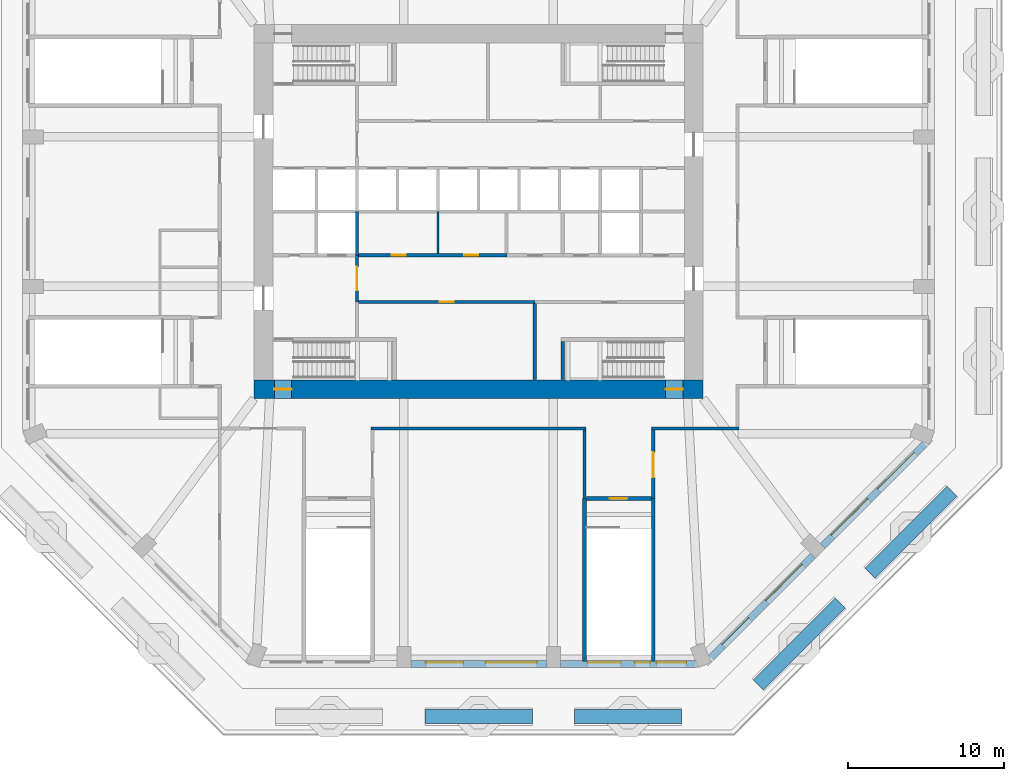
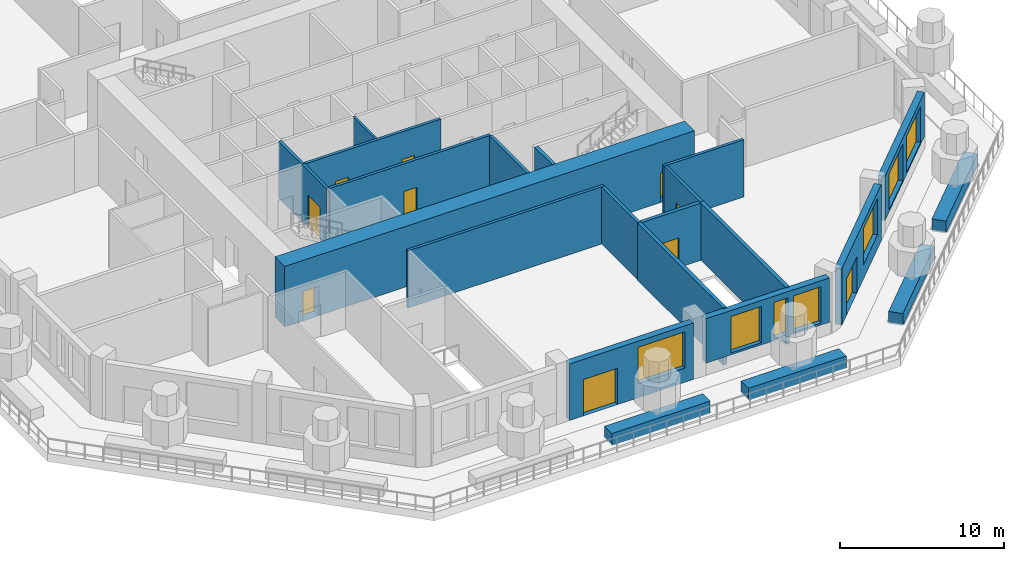
# One storey, part 4 of 13: 23 walls, 10 doors, 7 windows, 17 openings.
"""IFC4 building model written with IfcOpenShell, lengths in metres."""

from ifc_helpers import new_model, si_unit, direction, frame, frame_2d, origin, place, context, subcontext, project, spatial, rectangle, extrude, material, layer, layer_set, type_object, element, fill, save


model = new_model("IFC4")

# Units and contexts
model_context = context("Model", 3, precision=1e-05, world=origin(), true_north=direction((0.0, 1.0)))
body_context = subcontext(model_context, "Body", "Model", "MODEL_VIEW")
ifc_project = project(units=[si_unit("LENGTHUNIT", "METRE"), si_unit("AREAUNIT", "SQUARE_METRE"), si_unit("VOLUMEUNIT", "CUBIC_METRE"), si_unit("PLANEANGLEUNIT", "RADIAN"), si_unit("MASSUNIT", "GRAM", prefix="KILO")], contexts=[model_context])

# Site, building, storey
site_placement = place(None, origin())
site = spatial("IfcSite", under=ifc_project, at=site_placement, CompositionType="ELEMENT")
building_placement = place(site_placement, origin())
building = spatial("IfcBuilding", under=site, at=building_placement, Name="Msitu Wima Residences", CompositionType="ELEMENT")
storey_placement = place(building_placement, frame((0.0, 0.0, 21.0)))
storey = spatial("IfcBuildingStorey", under=building, at=storey_placement, Name="L04", CompositionType="ELEMENT", Elevation=21.0)

# Wall, openings, door, window
ifc_material_1 = material(Name="Brick (red buff mix), cavity wall of two leaves", Category="masonry")
ifc_layer_1 = layer(ifc_material_1, 0.449951171875)
ifc_layer_set_1 = layer_set([ifc_layer_1], Name="Brick (red buff mix), cavity wall of two leaves")
wall_type_1 = type_object("IfcWallType", Name="Brick infill wall BW450 podium", PredefinedType="ELEMENTEDWALL", material=ifc_layer_set_1)
wall_1_placement = place(storey_placement, frame((-4.35009765625, -29.02490234375, 0.0), z_axis=(0.0, 0.0, 1.0), x_axis=(1.0, 0.0, 0.0)))
wall_1 = element("IfcWall", 1, at=wall_1_placement, inside=storey, type_object=wall_type_1, Name="Brick infill wall L04 S1", PredefinedType="ELEMENTEDWALL", context=body_context, shape_type="SweptSolid", body=[
    extrude(rectangle(XDim=8.7001953125, YDim=0.449951171875, at=frame_2d((4.35009765625, 0.0))), origin(), (0.0, 0.0, 1.0), 4.199951171875),
])
opening_1_placement = place(wall_1_placement, frame((0.97509765625, 0.0, 0.0)))
opening_1 = element("IfcOpeningElement", 2, at=opening_1_placement, cuts=wall_1, Name="Opening D04.005", PredefinedType="OPENING", context=body_context, shape_type="SweptSolid", body=[
    extrude(rectangle(XDim=2.39990234375, YDim=2.699951171875, at=frame_2d((1.199951171875, 1.35009765625))), frame((0.0, 0.23486328125, 0.0), z_axis=(0.0, -1.0, 0.0), x_axis=(1.0, 0.0, 0.0)), (0.0, 0.0, 1.0), 0.469970703125),
])
opening_2_placement = place(wall_1_placement, frame((4.800048828125, 0.0, 1.050048828125)))
opening_2 = element("IfcOpeningElement", 3, at=opening_2_placement, cuts=wall_1, Name="Opening W04.024", PredefinedType="OPENING", context=body_context, shape_type="SweptSolid", body=[
    extrude(rectangle(XDim=3.300048828125, YDim=2.699951171875, at=frame_2d((1.64990234375, 1.35009765625))), frame((0.0, 0.23486328125, 0.0), z_axis=(0.0, -1.0, 0.0), x_axis=(1.0, 0.0, 0.0)), (0.0, 0.0, 1.0), 0.469970703125),
])
ifc_material_2 = material(Name="Anodised aluminium, bronze finish, clear low-emissivity double glazing", Category="aluminium")
door_type_1 = type_object("IfcDoorType", Name="Balcony door D2400x2700", OperationType="SLIDING_TO_LEFT", PredefinedType="DOOR", material=ifc_material_2)
door_1_placement = place(opening_1_placement, origin())
door_1 = element("IfcDoor", 4, at=door_1_placement, inside=storey, type_object=door_type_1, Name="Terrace door L04 S1", OperationType="SINGLE_SWING_LEFT", OverallHeight=2.699951171875, OverallWidth=2.39990234375, PredefinedType="DOOR", context=body_context, shape_type="SweptSolid", body=[
    extrude(rectangle(XDim=2.39990234375, YDim=2.699951171875, at=frame_2d((1.199951171875, 1.35009765625))), frame((0.0, 0.1298828125, 0.0), z_axis=(0.0, -1.0, 0.0), x_axis=(1.0, 0.0, 0.0)), (0.0, 0.0, 1.0), 0.050048828125),
])
fill(opening_1, door_1)
window_type_1 = type_object("IfcWindowType", Name="Window W3300x2700", PartitioningType="DOUBLE_PANEL_VERTICAL", PredefinedType="WINDOW", material=ifc_material_2)
window_1_placement = place(opening_2_placement, origin())
window_1 = element("IfcWindow", 5, at=window_1_placement, inside=storey, type_object=window_type_1, Name="Window L04 S1.2", OverallHeight=2.699951171875, OverallWidth=3.300048828125, PartitioningType="SINGLE_PANEL", PredefinedType="WINDOW", context=body_context, shape_type="SweptSolid", body=[
    extrude(rectangle(XDim=3.300048828125, YDim=2.699951171875, at=frame_2d((1.64990234375, 1.35009765625))), frame((0.0, 0.135009765625, 0.0), z_axis=(0.0, -1.0, 0.0), x_axis=(1.0, 0.0, 0.0)), (0.0, 0.0, 1.0), 0.06005859375),
])
fill(opening_2, window_1)

# Wall, openings, windows
wall_2_placement = place(storey_placement, frame((5.25, -29.02490234375, 0.89990234375), z_axis=(0.0, 0.0, 1.0), x_axis=(1.0, 0.0, 0.0)))
wall_2 = element("IfcWall", 6, at=wall_2_placement, inside=storey, type_object=wall_type_1, Name="Brick infill wall L04 S2", PredefinedType="ELEMENTEDWALL", context=body_context, shape_type="SweptSolid", body=[
    extrude(rectangle(XDim=8.662841796875, YDim=0.449951171875, at=frame_2d((4.33154296875, 0.0))), origin(), (0.0, 0.0, 1.0), 3.300048828125),
])
opening_3_placement = place(wall_2_placement, frame((1.75, 0.0, 0.14990234375)))
opening_3 = element("IfcOpeningElement", 7, at=opening_3_placement, cuts=wall_2, Name="Opening W04.025", PredefinedType="OPENING", context=body_context, shape_type="SweptSolid", body=[
    extrude(rectangle(XDim=2.1298828125, YDim=2.699951171875, at=frame_2d((1.06494140625, 1.35009765625))), frame((0.0, 0.23486328125, 0.0), z_axis=(0.0, -1.0, 0.0), x_axis=(1.0, 0.0, 0.0)), (0.0, 0.0, 1.0), 0.469970703125),
])
opening_4_placement = place(wall_2_placement, frame((4.781494140625, 0.0, 0.14990234375)))
opening_4 = element("IfcOpeningElement", 8, at=opening_4_placement, cuts=wall_2, Name="Opening W04.026", PredefinedType="OPENING", context=body_context, shape_type="SweptSolid", body=[
    extrude(rectangle(XDim=0.969970703125, YDim=2.699951171875, at=frame_2d((0.48486328125, 1.35009765625))), frame((0.0, 0.23486328125, 0.0), z_axis=(0.0, -1.0, 0.0), x_axis=(1.0, 0.0, 0.0)), (0.0, 0.0, 1.0), 0.469970703125),
])
opening_5_placement = place(wall_2_placement, frame((6.14990234375, 0.0, 0.14990234375)))
opening_5 = element("IfcOpeningElement", 9, at=opening_5_placement, cuts=wall_2, Name="Opening W04.027", PredefinedType="OPENING", context=body_context, shape_type="SweptSolid", body=[
    extrude(rectangle(XDim=1.929931640625, YDim=2.699951171875, at=frame_2d((0.96484375, 1.35009765625))), frame((0.0, 0.23486328125, 0.0), z_axis=(0.0, -1.0, 0.0), x_axis=(1.0, 0.0, 0.0)), (0.0, 0.0, 1.0), 0.469970703125),
])
window_type_2 = type_object("IfcWindowType", Name="Window W1930x2700", PartitioningType="DOUBLE_PANEL_VERTICAL", PredefinedType="WINDOW", material=ifc_material_2)
window_2_placement = place(opening_5_placement, origin())
window_2 = element("IfcWindow", 10, at=window_2_placement, inside=storey, type_object=window_type_2, Name="Window L04 S2.2b", OverallHeight=2.699951171875, OverallWidth=1.929931640625, PartitioningType="SINGLE_PANEL", PredefinedType="WINDOW", context=body_context, shape_type="SweptSolid", body=[
    extrude(rectangle(XDim=1.929931640625, YDim=2.699951171875, at=frame_2d((0.96484375, 1.35009765625))), frame((0.0, 0.135009765625, 0.0), z_axis=(0.0, -1.0, 0.0), x_axis=(1.0, 0.0, 0.0)), (0.0, 0.0, 1.0), 0.06005859375),
])
fill(opening_5, window_2)
window_type_3 = type_object("IfcWindowType", Name="Window W2130x2700", PartitioningType="DOUBLE_PANEL_VERTICAL", PredefinedType="WINDOW", material=ifc_material_2)
window_3_placement = place(opening_3_placement, origin())
window_3 = element("IfcWindow", 11, at=window_3_placement, inside=storey, type_object=window_type_3, Name="Window L04 S2.1b", OverallHeight=2.699951171875, OverallWidth=2.1298828125, PartitioningType="SINGLE_PANEL", PredefinedType="WINDOW", context=body_context, shape_type="SweptSolid", body=[
    extrude(rectangle(XDim=2.1298828125, YDim=2.699951171875, at=frame_2d((1.06494140625, 1.35009765625))), frame((0.0, 0.135009765625, 0.0), z_axis=(0.0, -1.0, 0.0), x_axis=(1.0, 0.0, 0.0)), (0.0, 0.0, 1.0), 0.06005859375),
])
fill(opening_3, window_3)
window_type_4 = type_object("IfcWindowType", Name="Window W970x2700", PartitioningType="DOUBLE_PANEL_VERTICAL", PredefinedType="WINDOW", material=ifc_material_2)
window_4_placement = place(opening_4_placement, origin())
window_4 = element("IfcWindow", 12, at=window_4_placement, inside=storey, type_object=window_type_4, Name="Window L04 S2.2a", OverallHeight=2.699951171875, OverallWidth=0.969970703125, PartitioningType="SINGLE_PANEL", PredefinedType="WINDOW", context=body_context, shape_type="SweptSolid", body=[
    extrude(rectangle(XDim=0.969970703125, YDim=2.699951171875, at=frame_2d((0.48486328125, 1.35009765625))), frame((0.0, 0.135009765625, 0.0), z_axis=(0.0, -1.0, 0.0), x_axis=(1.0, 0.0, 0.0)), (0.0, 0.0, 1.0), 0.06005859375),
])
fill(opening_4, window_4)

# Wall, openings, door, window
wall_3_placement = place(storey_placement, frame((14.903564453125, -28.61474609375, 0.0), z_axis=(0.0, 0.0, 1.0), x_axis=(0.707106781187, 0.707106781187, 0.0)))
wall_3 = element("IfcWall", 13, at=wall_3_placement, inside=storey, type_object=wall_type_1, Name="Brick infill wall L04 SE0", PredefinedType="ELEMENTEDWALL", context=body_context, shape_type="SweptSolid", body=[
    extrude(rectangle(XDim=9.2451171875, YDim=0.449951171875, at=frame_2d((4.62255859375, 0.0))), origin(), (0.0, 0.0, 1.0), 4.199951171875),
])
opening_6_placement = place(wall_3_placement, frame((1.111328125, 0.0, 0.0)))
opening_6 = element("IfcOpeningElement", 14, at=opening_6_placement, cuts=wall_3, Name="Opening D04.006", PredefinedType="OPENING", context=body_context, shape_type="SweptSolid", body=[
    extrude(rectangle(XDim=2.39990234375, YDim=2.699951171875, at=frame_2d((1.199951171875, 1.35009765625))), frame((0.0, 0.23486328125, 0.0), z_axis=(0.0, -1.0, 0.0), x_axis=(1.0, 0.0, 0.0)), (0.0, 0.0, 1.0), 0.469970703125),
])
opening_7_placement = place(wall_3_placement, frame((5.072509765625, 0.0, 1.050048828125)))
opening_7 = element("IfcOpeningElement", 15, at=opening_7_placement, cuts=wall_3, Name="Opening W04.028", PredefinedType="OPENING", context=body_context, shape_type="SweptSolid", body=[
    extrude(rectangle(XDim=3.300048828125, YDim=2.699951171875, at=frame_2d((1.64990234375, 1.35009765625))), frame((0.0, 0.23486328125, 0.0), z_axis=(0.0, -1.0, 0.0), x_axis=(1.0, 0.0, 0.0)), (0.0, 0.0, 1.0), 0.469970703125),
])
door_2_placement = place(opening_6_placement, origin())
door_2 = element("IfcDoor", 16, at=door_2_placement, inside=storey, type_object=door_type_1, Name="Terrace door L04 SE0", OperationType="SINGLE_SWING_LEFT", OverallHeight=2.699951171875, OverallWidth=2.39990234375, PredefinedType="DOOR", context=body_context, shape_type="SweptSolid", body=[
    extrude(rectangle(XDim=2.39990234375, YDim=2.699951171875, at=frame_2d((1.199951171875, 1.35009765625))), frame((0.0, 0.1298828125, 0.0), z_axis=(0.0, -1.0, 0.0), x_axis=(1.0, 0.0, 0.0)), (0.0, 0.0, 1.0), 0.050048828125),
])
fill(opening_6, door_2)
window_5_placement = place(opening_7_placement, origin())
window_5 = element("IfcWindow", 17, at=window_5_placement, inside=storey, type_object=window_type_1, Name="Window L04 SE0.2", OverallHeight=2.699951171875, OverallWidth=3.300048828125, PartitioningType="SINGLE_PANEL", PredefinedType="WINDOW", context=body_context, shape_type="SweptSolid", body=[
    extrude(rectangle(XDim=3.300048828125, YDim=2.699951171875, at=frame_2d((1.64990234375, 1.35009765625))), frame((0.0, 0.135009765625, 0.0), z_axis=(0.0, -1.0, 0.0), x_axis=(1.0, 0.0, 0.0)), (0.0, 0.0, 1.0), 0.06005859375),
])
fill(opening_7, window_5)

# Wall, openings, windows
wall_4_placement = place(storey_placement, frame((22.077392578125, -21.44091796875, 0.89990234375), z_axis=(0.0, 0.0, 1.0), x_axis=(0.707106781187, 0.707106781187, 0.0)))
wall_4 = element("IfcWall", 18, at=wall_4_placement, inside=storey, type_object=wall_type_1, Name="Brick infill wall L04 SE1", PredefinedType="ELEMENTEDWALL", context=body_context, shape_type="SweptSolid", body=[
    extrude(rectangle(XDim=9.2451171875, YDim=0.449951171875, at=frame_2d((4.62255859375, 0.0))), origin(), (0.0, 0.0, 1.0), 3.300048828125),
])
opening_8_placement = place(wall_4_placement, frame((0.87255859375, 0.0, 0.14990234375)))
opening_8 = element("IfcOpeningElement", 19, at=opening_8_placement, cuts=wall_4, Name="Opening W04.029", PredefinedType="OPENING", context=body_context, shape_type="SweptSolid", body=[
    extrude(rectangle(XDim=3.300048828125, YDim=2.699951171875, at=frame_2d((1.64990234375, 1.35009765625))), frame((0.0, 0.23486328125, 0.0), z_axis=(0.0, -1.0, 0.0), x_axis=(1.0, 0.0, 0.0)), (0.0, 0.0, 1.0), 0.469970703125),
])
opening_9_placement = place(wall_4_placement, frame((5.072509765625, 0.0, 0.14990234375)))
opening_9 = element("IfcOpeningElement", 20, at=opening_9_placement, cuts=wall_4, Name="Opening W04.030", PredefinedType="OPENING", context=body_context, shape_type="SweptSolid", body=[
    extrude(rectangle(XDim=3.300048828125, YDim=2.699951171875, at=frame_2d((1.64990234375, 1.35009765625))), frame((0.0, 0.23486328125, 0.0), z_axis=(0.0, -1.0, 0.0), x_axis=(1.0, 0.0, 0.0)), (0.0, 0.0, 1.0), 0.469970703125),
])
window_6_placement = place(opening_8_placement, origin())
window_6 = element("IfcWindow", 21, at=window_6_placement, inside=storey, type_object=window_type_1, Name="Window L04 SE1.1", OverallHeight=2.699951171875, OverallWidth=3.300048828125, PartitioningType="SINGLE_PANEL", PredefinedType="WINDOW", context=body_context, shape_type="SweptSolid", body=[
    extrude(rectangle(XDim=3.300048828125, YDim=2.699951171875, at=frame_2d((1.64990234375, 1.35009765625))), frame((0.0, 0.135009765625, 0.0), z_axis=(0.0, -1.0, 0.0), x_axis=(1.0, 0.0, 0.0)), (0.0, 0.0, 1.0), 0.06005859375),
])
fill(opening_8, window_6)
window_7_placement = place(opening_9_placement, origin())
window_7 = element("IfcWindow", 22, at=window_7_placement, inside=storey, type_object=window_type_1, Name="Window L04 SE1.2", OverallHeight=2.699951171875, OverallWidth=3.300048828125, PartitioningType="SINGLE_PANEL", PredefinedType="WINDOW", context=body_context, shape_type="SweptSolid", body=[
    extrude(rectangle(XDim=3.300048828125, YDim=2.699951171875, at=frame_2d((1.64990234375, 1.35009765625))), frame((0.0, 0.135009765625, 0.0), z_axis=(0.0, -1.0, 0.0), x_axis=(1.0, 0.0, 0.0)), (0.0, 0.0, 1.0), 0.06005859375),
])
fill(opening_9, window_7)

# Wall, openings, doors
ifc_material_3 = material(Name="Concrete C80/95", Category="concrete")
ifc_layer_2 = layer(ifc_material_3, 1.199951171875)
ifc_layer_set_2 = layer_set([ifc_layer_2], Name="Concrete C80/95")
wall_type_2 = type_object("IfcWallType", Name="Core wall CW1200 C80/95", PredefinedType="SHEAR", material=ifc_layer_set_2)
wall_5_placement = place(storey_placement, frame((-14.39990234375, -11.39990234375, 0.0), z_axis=(0.0, 0.0, 1.0), x_axis=(1.0, 0.0, 0.0)))
wall_5 = element("IfcWall", 23, at=wall_5_placement, inside=storey, type_object=wall_type_2, Name="Core wall", PredefinedType="SHEAR", context=body_context, shape_type="SweptSolid", body=[
    extrude(rectangle(XDim=28.7998046875, YDim=1.199951171875, at=frame_2d((14.39990234375, 0.0))), origin(), (0.0, 0.0, 1.0), 4.5),
])
opening_10_placement = place(wall_5_placement, frame((1.300048828125, 0.0, 0.0)))
opening_10 = element("IfcOpeningElement", 24, at=opening_10_placement, cuts=wall_5, Name="Opening D04.052", PredefinedType="OPENING", context=body_context, shape_type="SweptSolid", body=[
    extrude(rectangle(XDim=1.10009765625, YDim=2.199951171875, at=frame_2d((0.550048828125, 1.10009765625))), frame((0.0, 0.60986328125, 0.0), z_axis=(0.0, -1.0, 0.0), x_axis=(1.0, 0.0, 0.0)), (0.0, 0.0, 1.0), 1.219970703125),
])
opening_11_placement = place(wall_5_placement, frame((26.39990234375, 0.0, 0.0)))
opening_11 = element("IfcOpeningElement", 25, at=opening_11_placement, cuts=wall_5, Name="Opening D04.054", PredefinedType="OPENING", context=body_context, shape_type="SweptSolid", body=[
    extrude(rectangle(XDim=1.10009765625, YDim=2.199951171875, at=frame_2d((0.550048828125, 1.10009765625))), frame((0.0, 0.60986328125, 0.0), z_axis=(0.0, -1.0, 0.0), x_axis=(1.0, 0.0, 0.0)), (0.0, 0.0, 1.0), 1.219970703125),
])
ifc_material_4 = material(Name="Steel door, fire resisting, panic bar", Category="steel")
door_type_2 = type_object("IfcDoorType", Name="Stair door D06 1100x2200", OperationType="SINGLE_SWING_LEFT", PredefinedType="DOOR", material=ifc_material_4)
door_3_placement = place(opening_10_placement, origin())
door_3 = element("IfcDoor", 26, at=door_3_placement, inside=storey, type_object=door_type_2, Name="Stair door", OperationType="SINGLE_SWING_LEFT", OverallHeight=2.199951171875, OverallWidth=1.10009765625, PredefinedType="DOOR", context=body_context, shape_type="SweptSolid", body=[
    extrude(rectangle(XDim=1.10009765625, YDim=2.199951171875, at=frame_2d((0.550048828125, 1.10009765625))), frame((0.0, 0.02490234375, 0.0), z_axis=(0.0, -1.0, 0.0), x_axis=(1.0, 0.0, 0.0)), (0.0, 0.0, 1.0), 0.050048828125),
])
fill(opening_10, door_3)
door_4_placement = place(opening_11_placement, origin())
door_4 = element("IfcDoor", 27, at=door_4_placement, inside=storey, type_object=door_type_2, Name="Stair door", OperationType="SINGLE_SWING_RIGHT", OverallHeight=2.199951171875, OverallWidth=1.10009765625, PredefinedType="DOOR", context=body_context, shape_type="SweptSolid", body=[
    extrude(rectangle(XDim=1.10009765625, YDim=2.199951171875, at=frame_2d((0.550048828125, 1.10009765625))), frame((0.0, 0.02490234375, 0.0), z_axis=(0.0, -1.0, 0.0), x_axis=(1.0, 0.0, 0.0)), (0.0, 0.0, 1.0), 0.050048828125),
])
fill(opening_11, door_4)

ifc_material_5 = material(Name="Plaster")
ifc_layer_3 = layer(ifc_material_5, 0.011962890625, Name="Plaster")
ifc_material_6 = material(Name="Concrete blockwork", Category="masonry")
ifc_layer_4 = layer(ifc_material_6, 0.176025390625, Name="Concrete blockwork")
ifc_layer_5 = layer(ifc_material_5, 0.011962890625, Name="Plaster")
ifc_layer_set_3 = layer_set([ifc_layer_3, ifc_layer_4, ifc_layer_5], Name="Concrete blockwork")
wall_type_3 = type_object("IfcWallType", Name="Corridor wall FW200", PredefinedType="PARTITIONING", material=ifc_layer_set_3)
wall_6_placement = place(storey_placement, frame((-7.820068359375, -2.800048828125, 0.0), z_axis=(0.0, 0.0, 1.0), x_axis=(1.0, 0.0, 0.0)))
wall_6 = element("IfcWall", 28, at=wall_6_placement, inside=storey, type_object=wall_type_3, Name="Corridor wall", PredefinedType="PARTITIONING", context=body_context, shape_type="SweptSolid", body=[
    extrude(rectangle(XDim=9.64013671875, YDim=0.199951171875, at=frame_2d((4.820068359375, 0.0))), origin(), (0.0, 0.0, 1.0), 4.25),
])
opening_12_placement = place(wall_6_placement, frame((2.25, 0.0, 0.0)))
opening_12 = element("IfcOpeningElement", 29, at=opening_12_placement, cuts=wall_6, Name="Opening D04.019", PredefinedType="OPENING", context=body_context, shape_type="SweptSolid", body=[
    extrude(rectangle(XDim=0.89990234375, YDim=2.199951171875, at=frame_2d((0.449951171875, 1.10009765625))), frame((0.0, 0.10986328125, 0.0), z_axis=(0.0, -1.0, 0.0), x_axis=(1.0, 0.0, 0.0)), (0.0, 0.0, 1.0), 0.219970703125),
])
opening_13_placement = place(wall_6_placement, frame((6.89990234375, 0.0, 0.0)))
opening_13 = element("IfcOpeningElement", 30, at=opening_13_placement, cuts=wall_6, Name="Opening D04.020", PredefinedType="OPENING", context=body_context, shape_type="SweptSolid", body=[
    extrude(rectangle(XDim=0.89990234375, YDim=2.199951171875, at=frame_2d((0.449951171875, 1.10009765625))), frame((0.0, 0.10986328125, 0.0), z_axis=(0.0, -1.0, 0.0), x_axis=(1.0, 0.0, 0.0)), (0.0, 0.0, 1.0), 0.219970703125),
])
ifc_material_7 = material(Name="Timber flush door", Category="wood")
door_type_3 = type_object("IfcDoorType", Name="Service door D05 900x2200", OperationType="SINGLE_SWING_LEFT", PredefinedType="DOOR", material=ifc_material_7)
door_5_placement = place(opening_12_placement, origin())
door_5 = element("IfcDoor", 31, at=door_5_placement, inside=storey, type_object=door_type_3, Name="Service door", OperationType="SINGLE_SWING_RIGHT", OverallHeight=2.199951171875, OverallWidth=0.89990234375, PredefinedType="DOOR", context=body_context, shape_type="SweptSolid", body=[
    extrude(rectangle(XDim=0.89990234375, YDim=2.199951171875, at=frame_2d((0.449951171875, 1.10009765625))), frame((0.0, 0.02490234375, 0.0), z_axis=(0.0, -1.0, 0.0), x_axis=(1.0, 0.0, 0.0)), (0.0, 0.0, 1.0), 0.050048828125),
])
fill(opening_12, door_5)
door_6_placement = place(opening_13_placement, origin())
door_6 = element("IfcDoor", 32, at=door_6_placement, inside=storey, type_object=door_type_3, Name="Service door", OperationType="SINGLE_SWING_LEFT", OverallHeight=2.199951171875, OverallWidth=0.89990234375, PredefinedType="DOOR", context=body_context, shape_type="SweptSolid", body=[
    extrude(rectangle(XDim=0.89990234375, YDim=2.199951171875, at=frame_2d((0.449951171875, 1.10009765625))), frame((0.0, 0.02490234375, 0.0), z_axis=(0.0, -1.0, 0.0), x_axis=(1.0, 0.0, 0.0)), (0.0, 0.0, 1.0), 0.050048828125),
])
fill(opening_13, door_6)

# Wall, opening, door
wall_7_placement = place(storey_placement, frame((-7.800048828125, -5.800048828125, 0.0), z_axis=(0.0, 0.0, 1.0), x_axis=(0.0, 1.0, 0.0)))
wall_7 = element("IfcWall", 33, at=wall_7_placement, inside=storey, type_object=wall_type_3, Name="Corridor wall", PredefinedType="PARTITIONING", context=body_context, shape_type="SweptSolid", body=[
    extrude(rectangle(XDim=3.0, YDim=0.199951171875, at=frame_2d((1.5, 0.0))), origin(), (0.0, 0.0, 1.0), 4.25),
])
opening_14_placement = place(wall_7_placement, frame((0.75, 0.0, 0.0)))
opening_14 = element("IfcOpeningElement", 34, at=opening_14_placement, cuts=wall_7, Name="Opening D04.011", PredefinedType="OPENING", context=body_context, shape_type="SweptSolid", body=[
    extrude(rectangle(XDim=1.5, YDim=2.39990234375, at=frame_2d((0.75, 1.199951171875))), frame((0.0, 0.10986328125, 0.0), z_axis=(0.0, -1.0, 0.0), x_axis=(1.0, 0.0, 0.0)), (0.0, 0.0, 1.0), 0.219970703125),
])
ifc_material_8 = material(Name="Steel framed glazed door, fire resisting", Category="steel")
door_type_4 = type_object("IfcDoorType", Name="Lobby door D07 1500x2400", OperationType="DOUBLE_DOOR_SINGLE_SWING", PredefinedType="DOOR", material=ifc_material_8)
door_7_placement = place(opening_14_placement, origin())
door_7 = element("IfcDoor", 35, at=door_7_placement, inside=storey, type_object=door_type_4, Name="Lobby door", OperationType="DOUBLE_DOOR_SINGLE_SWING", OverallHeight=2.39990234375, OverallWidth=1.5, PredefinedType="DOOR", context=body_context, shape_type="SweptSolid", body=[
    extrude(rectangle(XDim=1.5, YDim=2.39990234375, at=frame_2d((0.75, 1.199951171875))), frame((0.0, 0.02490234375, 0.0), z_axis=(0.0, -1.0, 0.0), x_axis=(1.0, 0.0, 0.0)), (0.0, 0.0, 1.0), 0.050048828125),
])
fill(opening_14, door_7)

# Walls
wall_8_placement = place(storey_placement, frame((-6.89990234375, -13.91357421875, 0.0), z_axis=(0.0, 0.0, 1.0), x_axis=(1.0, 0.0, 0.0)))
element("IfcWall", 36, at=wall_8_placement, inside=storey, type_object=wall_type_3, Name="Corridor wall", PredefinedType="PARTITIONING", context=body_context, shape_type="SweptSolid", body=[
    extrude(rectangle(XDim=13.7998046875, YDim=0.199951171875, at=frame_2d((6.89990234375, 0.0))), origin(), (0.0, 0.0, 1.0), 4.25),
])
wall_9_placement = place(storey_placement, frame((6.800048828125, -18.39990234375, 0.0), z_axis=(0.0, 0.0, 1.0), x_axis=(0.0, 1.0, 0.0)))
element("IfcWall", 37, at=wall_9_placement, inside=storey, type_object=wall_type_3, Name="Corridor wall", PredefinedType="PARTITIONING", context=body_context, shape_type="SweptSolid", body=[
    extrude(rectangle(XDim=4.386474609375, YDim=0.199951171875, at=frame_2d((2.193359375, 0.0))), origin(), (0.0, 0.0, 1.0), 4.25),
])

# Wall, opening, door
wall_10_placement = place(storey_placement, frame((11.199951171875, -18.39990234375, 0.0), z_axis=(0.0, 0.0, 1.0), x_axis=(0.0, 1.0, 0.0)))
wall_10 = element("IfcWall", 38, at=wall_10_placement, inside=storey, type_object=wall_type_3, Name="Corridor wall", PredefinedType="PARTITIONING", context=body_context, shape_type="SweptSolid", body=[
    extrude(rectangle(XDim=4.386474609375, YDim=0.199951171875, at=frame_2d((2.193359375, 0.0))), origin(), (0.0, 0.0, 1.0), 4.25),
])
opening_15_placement = place(wall_10_placement, frame((1.35009765625, 0.0, 0.0)))
opening_15 = element("IfcOpeningElement", 39, at=opening_15_placement, cuts=wall_10, Name="Opening D04.030", PredefinedType="OPENING", context=body_context, shape_type="SweptSolid", body=[
    extrude(rectangle(XDim=1.60009765625, YDim=2.39990234375, at=frame_2d((0.800048828125, 1.199951171875))), frame((0.0, 0.10986328125, 0.0), z_axis=(0.0, -1.0, 0.0), x_axis=(1.0, 0.0, 0.0)), (0.0, 0.0, 1.0), 0.219970703125),
])
ifc_material_9 = material(Name="Black aluminium glazed door", Category="aluminium")
door_type_5 = type_object("IfcDoorType", Name="Amenity door D10 1600x2400", OperationType="DOUBLE_DOOR_SINGLE_SWING", PredefinedType="DOOR", material=ifc_material_9)
door_8_placement = place(opening_15_placement, origin())
door_8 = element("IfcDoor", 40, at=door_8_placement, inside=storey, type_object=door_type_5, Name="Amenity door", OperationType="DOUBLE_DOOR_SINGLE_SWING", OverallHeight=2.39990234375, OverallWidth=1.60009765625, PredefinedType="DOOR", context=body_context, shape_type="SweptSolid", body=[
    extrude(rectangle(XDim=1.60009765625, YDim=2.39990234375, at=frame_2d((0.800048828125, 1.199951171875))), frame((0.0, 0.02490234375, 0.0), z_axis=(0.0, -1.0, 0.0), x_axis=(1.0, 0.0, 0.0)), (0.0, 0.0, 1.0), 0.050048828125),
])
fill(opening_15, door_8)

# Walls
wall_11_placement = place(storey_placement, frame((11.10009765625, -13.91357421875, 0.0), z_axis=(0.0, 0.0, 1.0), x_axis=(1.0, 0.0, 0.0)))
element("IfcWall", 41, at=wall_11_placement, inside=storey, type_object=wall_type_3, Name="Corridor wall", PredefinedType="PARTITIONING", context=body_context, shape_type="SweptSolid", body=[
    extrude(rectangle(XDim=5.599853515625, YDim=0.199951171875, at=frame_2d((2.7998046875, 0.0))), origin(), (0.0, 0.0, 1.0), 4.25),
])
ifc_layer_6 = layer(ifc_material_5, 0.011962890625, Name="Plaster")
ifc_layer_7 = layer(ifc_material_6, 0.1259765625, Name="Concrete blockwork")
ifc_layer_8 = layer(ifc_material_5, 0.011962890625, Name="Plaster")
ifc_layer_set_4 = layer_set([ifc_layer_6, ifc_layer_7, ifc_layer_8], Name="Concrete blockwork")
wall_type_4 = type_object("IfcWallType", Name="Partition PW150", PredefinedType="PARTITIONING", material=ifc_layer_set_4)
wall_12_placement = place(storey_placement, frame((-2.60009765625, -2.699951171875, 0.0), z_axis=(0.0, 0.0, 1.0), x_axis=(0.0, 1.0, 0.0)))
element("IfcWall", 42, at=wall_12_placement, inside=storey, type_object=wall_type_4, Name="Partition", PredefinedType="PARTITIONING", context=body_context, shape_type="SweptSolid", body=[
    extrude(rectangle(XDim=2.699951171875, YDim=0.14990234375, at=frame_2d((1.35009765625, 0.0))), origin(), (0.0, 0.0, 1.0), 4.25),
])

# Wall, opening, door
ifc_layer_9 = layer(ifc_material_5, 0.011962890625, Name="Plaster")
ifc_material_10 = material(Name="Reinforced concrete blockwork", Category="masonry")
ifc_layer_10 = layer(ifc_material_10, 0.176025390625, Name="Reinforced concrete blockwork")
ifc_layer_11 = layer(ifc_material_5, 0.011962890625, Name="Plaster")
ifc_layer_set_5 = layer_set([ifc_layer_9, ifc_layer_10, ifc_layer_11], Name="Reinforced concrete blockwork")
wall_type_5 = type_object("IfcWallType", Name="Plant and riser wall PL200", PredefinedType="PARTITIONING", material=ifc_layer_set_5)
wall_13_placement = place(storey_placement, frame((-7.699951171875, -5.800048828125, 0.0), z_axis=(0.0, 0.0, 1.0), x_axis=(1.0, 0.0, 0.0)))
wall_13 = element("IfcWall", 43, at=wall_13_placement, inside=storey, type_object=wall_type_5, Name="Plant and riser wall", PredefinedType="PARTITIONING", context=body_context, shape_type="SweptSolid", body=[
    extrude(rectangle(XDim=11.320068359375, YDim=0.199951171875, at=frame_2d((5.66015625, 0.0))), origin(), (0.0, 0.0, 1.0), 4.25),
])
opening_16_placement = place(wall_13_placement, frame((5.199951171875, 0.0, 0.0)))
opening_16 = element("IfcOpeningElement", 44, at=opening_16_placement, cuts=wall_13, Name="Opening D04.015", PredefinedType="OPENING", context=body_context, shape_type="SweptSolid", body=[
    extrude(rectangle(XDim=0.89990234375, YDim=2.199951171875, at=frame_2d((0.449951171875, 1.10009765625))), frame((0.0, 0.10986328125, 0.0), z_axis=(0.0, -1.0, 0.0), x_axis=(1.0, 0.0, 0.0)), (0.0, 0.0, 1.0), 0.219970703125),
])
door_9_placement = place(opening_16_placement, origin())
door_9 = element("IfcDoor", 45, at=door_9_placement, inside=storey, type_object=door_type_3, Name="Service door", OperationType="SINGLE_SWING_RIGHT", OverallHeight=2.199951171875, OverallWidth=0.89990234375, PredefinedType="DOOR", context=body_context, shape_type="SweptSolid", body=[
    extrude(rectangle(XDim=0.89990234375, YDim=2.199951171875, at=frame_2d((0.449951171875, 1.10009765625))), frame((0.0, 0.02490234375, 0.0), z_axis=(0.0, -1.0, 0.0), x_axis=(1.0, 0.0, 0.0)), (0.0, 0.0, 1.0), 0.050048828125),
])
fill(opening_16, door_9)

# Walls
wall_14_placement = place(storey_placement, frame((3.60009765625, -10.77001953125, 0.0), z_axis=(0.0, 0.0, 1.0), x_axis=(0.0, 1.0, 0.0)))
element("IfcWall", 46, at=wall_14_placement, inside=storey, type_object=wall_type_5, Name="Plant and riser wall", PredefinedType="PARTITIONING", context=body_context, shape_type="SweptSolid", body=[
    extrude(rectangle(XDim=4.8701171875, YDim=0.199951171875, at=frame_2d((2.43505859375, 0.0))), origin(), (0.0, 0.0, 1.0), 4.25),
])
ifc_material_11 = material(Name="Fire-rated board")
ifc_layer_12 = layer(ifc_material_11, 0.02490234375, Name="Fire-rated board")
ifc_material_12 = material(Name="Light-gauge stud framing with mineral wool")
ifc_layer_13 = layer(ifc_material_12, 0.14990234375, Name="Light-gauge stud framing with mineral wool")
ifc_layer_14 = layer(ifc_material_11, 0.02490234375, Name="Fire-rated board")
ifc_layer_set_6 = layer_set([ifc_layer_12, ifc_layer_13, ifc_layer_14], Name="Light-gauge stud framing with mineral wool")
wall_type_6 = type_object("IfcWallType", Name="Shaft wall SH200", PredefinedType="PARTITIONING", material=ifc_layer_set_6)
wall_15_placement = place(storey_placement, frame((-7.800048828125, -2.800048828125, 0.0), z_axis=(0.0, 0.0, 1.0), x_axis=(0.0, 1.0, 0.0)))
element("IfcWall", 47, at=wall_15_placement, inside=storey, type_object=wall_type_6, Name="Shaft wall", PredefinedType="PARTITIONING", context=body_context, shape_type="SweptSolid", body=[
    extrude(rectangle(XDim=2.800048828125, YDim=0.199951171875, at=frame_2d((1.39990234375, 0.0))), origin(), (0.0, 0.0, 1.0), 4.25),
])
ifc_material_13 = material(Name="Concrete C50/60", Category="concrete")
ifc_layer_15 = layer(ifc_material_13, 0.25)
ifc_layer_set_7 = layer_set([ifc_layer_15], Name="Concrete C50/60")
wall_type_7 = type_object("IfcWallType", Name="Stair enclosure wall SW250", PredefinedType="SHEAR", material=ifc_layer_set_7)
wall_16_placement = place(storey_placement, frame((5.39990234375, -10.77001953125, 0.0), z_axis=(0.0, 0.0, 1.0), x_axis=(0.0, 1.0, 0.0)))
element("IfcWall", 48, at=wall_16_placement, inside=storey, type_object=wall_type_7, Name="Stair enclosure wall", PredefinedType="SHEAR", context=body_context, shape_type="SweptSolid", body=[
    extrude(rectangle(XDim=2.445068359375, YDim=0.25, at=frame_2d((1.22265625, 0.0))), origin(), (0.0, 0.0, 1.0), 4.25),
])
wall_17_placement = place(storey_placement, frame((6.800048828125, -28.85498046875, 0.0), z_axis=(0.0, 0.0, 1.0), x_axis=(0.0, 1.0, 0.0)))
element("IfcWall", 49, at=wall_17_placement, inside=storey, type_object=wall_type_7, Name="Stair enclosure wall", PredefinedType="SHEAR", context=body_context, shape_type="SweptSolid", body=[
    extrude(rectangle(XDim=10.455078125, YDim=0.25, at=frame_2d((5.2275390625, 0.0))), origin(), (0.0, 0.0, 1.0), 4.25),
])

# Wall, opening, door
wall_18_placement = place(storey_placement, frame((6.925048828125, -18.39990234375, 0.0), z_axis=(0.0, 0.0, 1.0), x_axis=(1.0, 0.0, 0.0)))
wall_18 = element("IfcWall", 50, at=wall_18_placement, inside=storey, type_object=wall_type_7, Name="Stair enclosure wall", PredefinedType="SHEAR", context=body_context, shape_type="SweptSolid", body=[
    extrude(rectangle(XDim=4.14990234375, YDim=0.25, at=frame_2d((2.074951171875, 0.0))), origin(), (0.0, 0.0, 1.0), 4.25),
])
opening_17_placement = place(wall_18_placement, frame((1.5, 0.0, 0.0)))
opening_17 = element("IfcOpeningElement", 51, at=opening_17_placement, cuts=wall_18, Name="Opening D04.045", PredefinedType="OPENING", context=body_context, shape_type="SweptSolid", body=[
    extrude(rectangle(XDim=1.10009765625, YDim=2.199951171875, at=frame_2d((0.550048828125, 1.10009765625))), frame((0.0, 0.135009765625, 0.0), z_axis=(0.0, -1.0, 0.0), x_axis=(1.0, 0.0, 0.0)), (0.0, 0.0, 1.0), 0.27001953125),
])
door_type_6 = type_object("IfcDoorType", Name="Stair door D13 1100x2200", OperationType="SINGLE_SWING_LEFT", PredefinedType="DOOR", material=ifc_material_4)
door_10_placement = place(opening_17_placement, origin())
door_10 = element("IfcDoor", 52, at=door_10_placement, inside=storey, type_object=door_type_6, Name="Stair door", OperationType="SINGLE_SWING_RIGHT", OverallHeight=2.199951171875, OverallWidth=1.10009765625, PredefinedType="DOOR", context=body_context, shape_type="SweptSolid", body=[
    extrude(rectangle(XDim=1.10009765625, YDim=2.199951171875, at=frame_2d((0.550048828125, 1.10009765625))), frame((0.0, 0.02490234375, 0.0), z_axis=(0.0, -1.0, 0.0), x_axis=(1.0, 0.0, 0.0)), (0.0, 0.0, 1.0), 0.050048828125),
])
fill(opening_17, door_10)

# Walls
wall_19_placement = place(storey_placement, frame((11.199951171875, -28.85498046875, 0.0), z_axis=(0.0, 0.0, 1.0), x_axis=(0.0, 1.0, 0.0)))
element("IfcWall", 53, at=wall_19_placement, inside=storey, type_object=wall_type_7, Name="Stair enclosure wall", PredefinedType="SHEAR", context=body_context, shape_type="SweptSolid", body=[
    extrude(rectangle(XDim=10.455078125, YDim=0.25, at=frame_2d((5.2275390625, 0.0))), origin(), (0.0, 0.0, 1.0), 4.25),
])
ifc_material_14 = material(Name="Facing brick")
ifc_layer_16 = layer(ifc_material_14, 0.06494140625, Name="Facing brick")
ifc_material_15 = material(Name="Concrete C40/50", Category="concrete")
ifc_layer_17 = layer(ifc_material_15, 0.381103515625, Name="Concrete C40/50")
ifc_material_16 = material(Name="Waterproofing membrane")
ifc_layer_18 = layer(ifc_material_16, 0.00390625, Name="Waterproofing membrane")
ifc_material_17 = material(Name="Planting soil and planting")
ifc_layer_19 = layer(ifc_material_17, 0.449951171875, Name="Planting soil and planting")
ifc_layer_set_8 = layer_set([ifc_layer_16, ifc_layer_17, ifc_layer_18, ifc_layer_19], Name="Concrete C40/50")
wall_type_8 = type_object("IfcWallType", Name="Terrace planter PLANTER PL900", PredefinedType="USERDEFINED", material=ifc_layer_set_8)
wall_20_placement = place(storey_placement, frame((-3.449951171875, -32.39990234375, 0.0), z_axis=(0.0, 0.0, 1.0), x_axis=(1.0, 0.0, 0.0)))
element("IfcWall", 54, at=wall_20_placement, inside=storey, type_object=wall_type_8, Name="Terrace planter L04 S1", ObjectType="PLANTER", PredefinedType="USERDEFINED", context=body_context, shape_type="SweptSolid", body=[
    extrude(rectangle(XDim=6.89990234375, YDim=0.89990234375, at=frame_2d((3.449951171875, 0.0))), origin(), (0.0, 0.0, 1.0), 0.89990234375),
])
wall_21_placement = place(storey_placement, frame((6.14990234375, -32.39990234375, 0.0), z_axis=(0.0, 0.0, 1.0), x_axis=(1.0, 0.0, 0.0)))
element("IfcWall", 55, at=wall_21_placement, inside=storey, type_object=wall_type_8, Name="Terrace planter L04 S2", ObjectType="PLANTER", PredefinedType="USERDEFINED", context=body_context, shape_type="SweptSolid", body=[
    extrude(rectangle(XDim=6.863037109375, YDim=0.89990234375, at=frame_2d((3.431640625, 0.0))), origin(), (0.0, 0.0, 1.0), 0.89990234375),
])
for number, where, z_axis, x_axis, name in (
    (56, (17.926513671875, -30.36474609375, 0.0), (0.0, 0.0, 1.0), (0.707090385078, 0.707123176915, 0.0), "Terrace planter L04 SE0"),
    (57, (25.10009765625, -23.19091796875, 0.0), (0.0, 0.0, 1.0), (0.707123176915, 0.707090385078, 0.0), "Terrace planter L04 SE1"),
):
    element("IfcWall", number, at=place(storey_placement, frame(where, z_axis=z_axis, x_axis=x_axis)), inside=storey, type_object=wall_type_8, Name=name, ObjectType="PLANTER", PredefinedType="USERDEFINED", context=body_context, shape_type="SweptSolid", body=[
        extrude(rectangle(XDim=7.445068359375, YDim=0.89990234375, at=frame_2d((3.72265625, 0.0))), origin(), (0.0, 0.0, 1.0), 0.89990234375),
    ])

save(model, "model.ifc")
